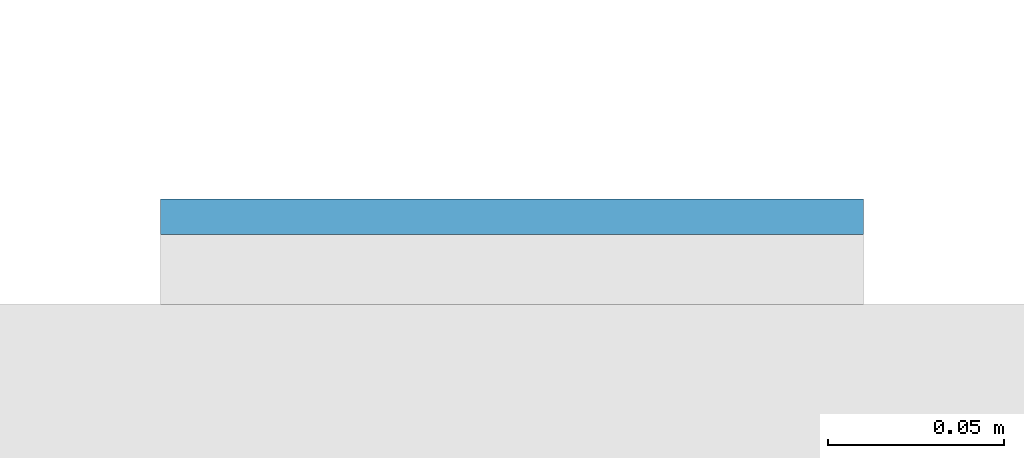
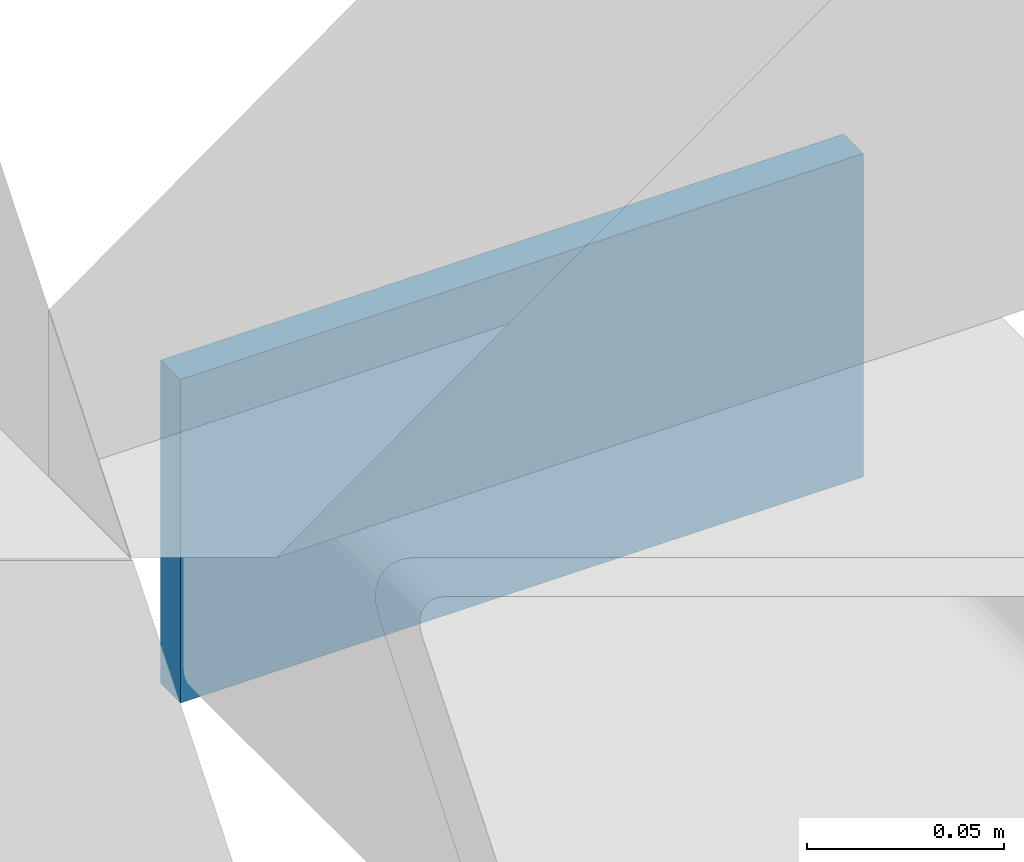
# One storey, part 11 of 20: 1 plate.
"""IFC4 building model written with IfcOpenShell, lengths in metres."""

from ifc_helpers import new_model, si_unit, direction, frame, origin, origin_2d, place, context, subcontext, project, spatial, rectangle, extrude, material, layer, layer_set, type_object, element, save


model = new_model("IFC4")

# Units and contexts
model_context = context("Model", 3, precision=1e-05, world=origin(), true_north=direction((0.0, 1.0)))
body_context = subcontext(model_context, "Body", "Model", "MODEL_VIEW")
ifc_project = project(units=[si_unit("LENGTHUNIT", "METRE"), si_unit("AREAUNIT", "SQUARE_METRE"), si_unit("VOLUMEUNIT", "CUBIC_METRE"), si_unit("PLANEANGLEUNIT", "RADIAN"), si_unit("MASSUNIT", "GRAM", prefix="KILO")], contexts=[model_context])

# Site, building, storey
site_placement = place(None, origin())
site = spatial("IfcSite", under=ifc_project, at=site_placement, CompositionType="ELEMENT")
building_placement = place(site_placement, origin())
building = spatial("IfcBuilding", under=site, at=building_placement, Name="Cleftline Residences", CompositionType="ELEMENT")
storey_placement = place(building_placement, frame((0.0, 0.0, 189.39990234375)))
storey = spatial("IfcBuildingStorey", under=building, at=storey_placement, Name="L49", CompositionType="ELEMENT", Elevation=189.39990234375)

# Plate
ifc_material = material(Name="Steel S355, hot-dip galvanised", Category="steel")
ifc_layer = layer(ifc_material, 0.010009765625)
ifc_layer_set = layer_set([ifc_layer], Name="BAGUETTE CARRIER END PLATE 200X100X10")
plate_type = type_object("IfcPlateType", Name="BAGUETTE CARRIER END PLATE 200X100X10", PredefinedType="USERDEFINED", material=ifc_layer_set)
plate_placement = place(storey_placement, frame((66.85009765625, 44.304931640625, -0.099853515625), z_axis=(0.0, 0.0, 1.0), x_axis=(1.0, 0.0, 0.0)))
element("IfcPlate", 1, at=plate_placement, inside=storey, type_object=plate_type, Name="Baguette carrier end plate", ObjectType="BAGUETTE CARRIER END PLATE", PredefinedType="USERDEFINED", context=body_context, shape_type="SweptSolid", body=[
    extrude(rectangle(XDim=0.199951171875, YDim=0.010009765625, at=origin_2d()), origin(), (0.0, 0.0, 1.0), 0.10009765625),
])

save(model, "model.ifc")
